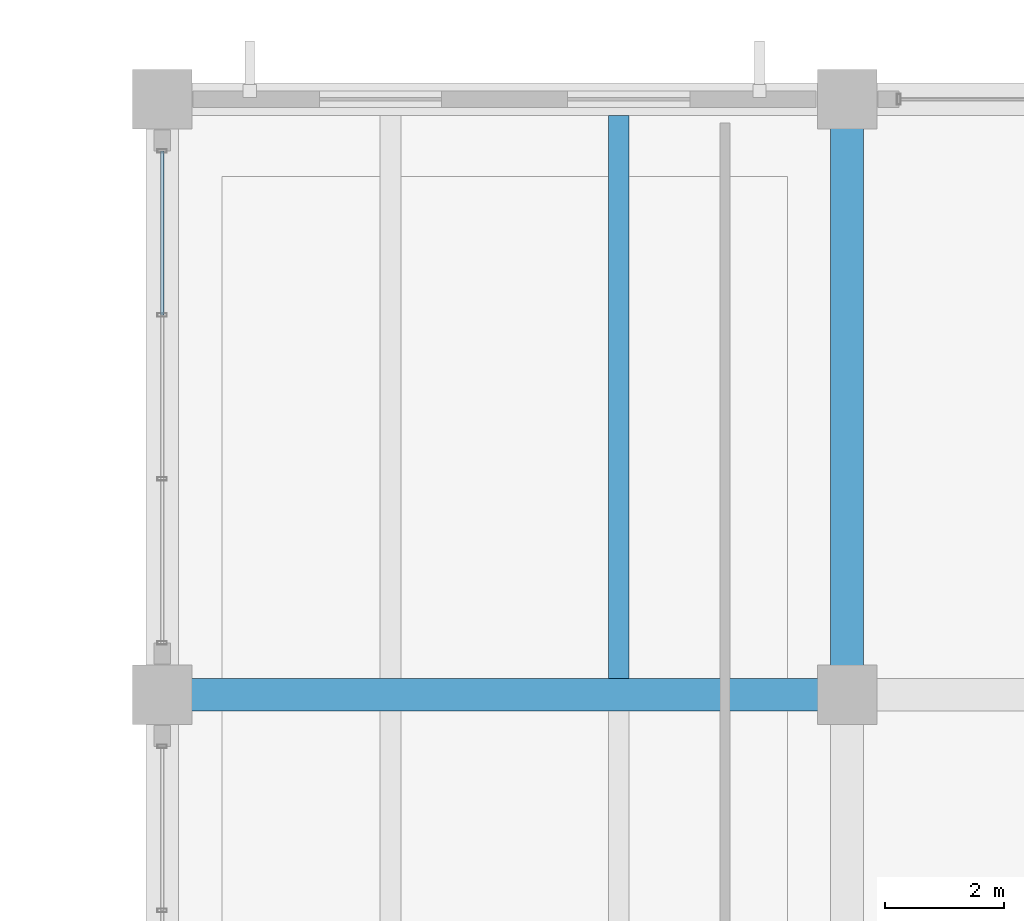
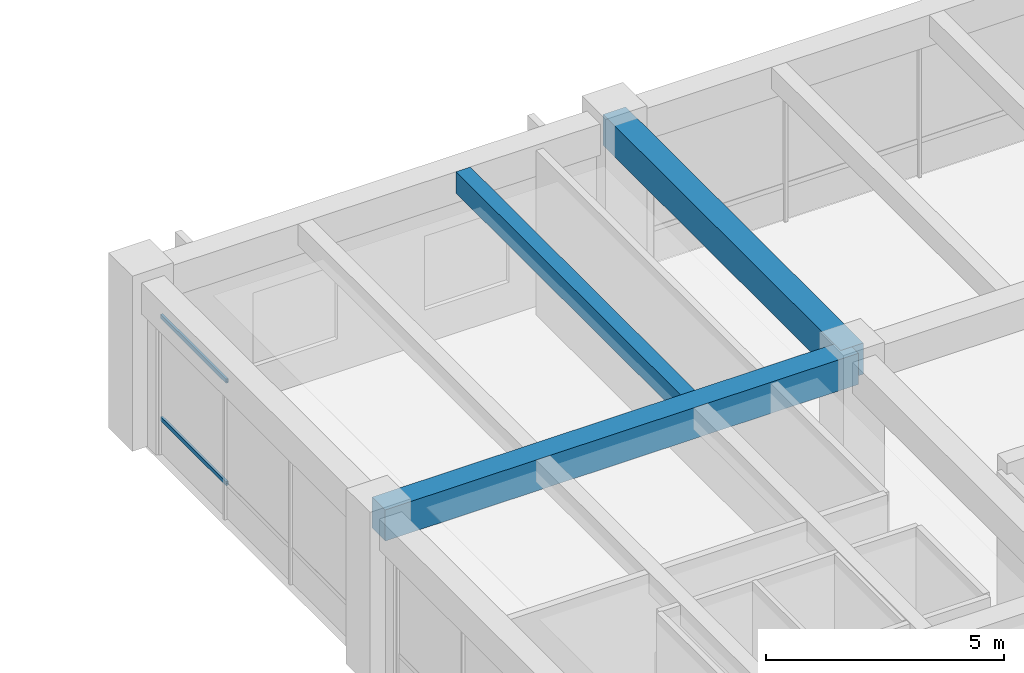
# One storey, part 92 of 154: 3 beams, 2 members, 1 element without a shape of its own.
"""IFC4 building model written with IfcOpenShell, lengths in metres."""

from ifc_helpers import new_model, si_unit, direction, frame, origin, origin_2d, place, context, subcontext, project, spatial, rectangle, hollow_rectangle, extrude, material, material_profile, profile_set, type_object, element, aggregate, save


model = new_model("IFC4")

# Units and contexts
model_context = context("Model", 3, precision=1e-05, world=origin(), true_north=direction((0.0, 1.0)))
body_context = subcontext(model_context, "Body", "Model", "MODEL_VIEW")
ifc_project = project(units=[si_unit("LENGTHUNIT", "METRE"), si_unit("AREAUNIT", "SQUARE_METRE"), si_unit("VOLUMEUNIT", "CUBIC_METRE"), si_unit("PLANEANGLEUNIT", "RADIAN"), si_unit("MASSUNIT", "GRAM", prefix="KILO")], contexts=[model_context])

# Site, building, storey
site_placement = place(None, origin())
site = spatial("IfcSite", under=ifc_project, at=site_placement, CompositionType="ELEMENT")
building_placement = place(site_placement, origin())
building = spatial("IfcBuilding", under=site, at=building_placement, Name="Ologun Quay Terminus", CompositionType="ELEMENT")
storey_placement = place(building_placement, frame((0.0, 0.0, 13.800048828125)))
storey = spatial("IfcBuildingStorey", under=building, at=storey_placement, Name="L03", CompositionType="ELEMENT", Elevation=13.800048828125)

# Curtain wall, members
ifc_material_1 = material(Name="Aluminium 6063-T6", Category="aluminium")
curtain_wall_type = type_object("IfcCurtainWallType", Name="Rain-Garden East Courtyard Curtain Wall L03 9200x4150", PredefinedType="USERDEFINED", material=ifc_material_1)
curtain_wall_placement = place(storey_placement, origin())
curtain_wall = element("IfcCurtainWall", 1, at=curtain_wall_placement, inside=storey, type_object=curtain_wall_type, Name="CW-20 Curtain Wall CW-L03-144", ObjectType="UNITISED CURTAIN WALL", PredefinedType="USERDEFINED")
ifc_material_2 = material(Name="Aluminium 6063-T6", Category="aluminium")
ifc_material_profile_1 = material_profile(ifc_material_2, hollow_rectangle(XDim=0.054931640625, YDim=0.110107421875, WallThickness=0.00390625, at=origin_2d()), Name="ALU 110x55x4")
ifc_profile_set_1 = profile_set([ifc_material_profile_1], Name="Aluminium 6063-T6")
member_type = type_object("IfcMemberType", Name="Courtyard Screen Transom 110x55", PredefinedType="USERDEFINED", material=ifc_profile_set_1)
member_1_placement = place(storey_placement, frame((115.0, 111.1767578125, 0.89990234375), z_axis=(0.0, 1.0, 0.0), x_axis=(-1.0, 0.0, 0.0)))
member_1 = element("IfcMember", 2, at=member_1_placement, type_object=member_type, Name="CW-L03-144 Transom B3-1", ObjectType="TRANSOM", PredefinedType="USERDEFINED", context=body_context, shape_type="SweptSolid", body=[
    extrude(hollow_rectangle(XDim=0.054931640625, YDim=0.110107421875, WallThickness=0.00390625, at=origin_2d()), origin(), (0.0, 0.0, 1.0), 2.753173828125),
])
member_2_placement = place(storey_placement, frame((115.0, 111.1767578125, 3.530029296875), z_axis=(0.0, 1.0, 0.0), x_axis=(-1.0, 0.0, 0.0)))
member_2 = element("IfcMember", 3, at=member_2_placement, type_object=member_type, Name="CW-L03-144 Transom B3-2", ObjectType="TRANSOM", PredefinedType="USERDEFINED", context=body_context, shape_type="SweptSolid", body=[
    extrude(hollow_rectangle(XDim=0.054931640625, YDim=0.110107421875, WallThickness=0.00390625, at=origin_2d()), origin(), (0.0, 0.0, 1.0), 2.753173828125),
])
aggregate(curtain_wall, [member_1, member_2])

# Beams
ifc_material_3 = material(Name="Concrete C40/50", Category="concrete")
ifc_material_profile_2 = material_profile(ifc_material_3, rectangle(XDim=0.550048828125, YDim=0.800048828125, at=origin_2d()), Name="RC 550x800")
ifc_profile_set_2 = profile_set([ifc_material_profile_2], Name="Concrete C40/50")
beam_type_1 = type_object("IfcBeamType", Name="Courtyard Wing Primary Girder 550x800", PredefinedType="BEAM", material=ifc_profile_set_2)
beam_1_placement = place(storey_placement, frame((115.0, 104.800048828125, 3.849853515625), z_axis=(1.0, 0.0, 0.0), x_axis=(0.0, 1.0, 0.0)))
element("IfcBeam", 4, at=beam_1_placement, inside=storey, type_object=beam_type_1, Name="B4 Beam 11/J L03", PredefinedType="BEAM", context=body_context, shape_type="SweptSolid", body=[
    extrude(rectangle(XDim=0.550048828125, YDim=0.800048828125, at=origin_2d()), origin(), (0.0, 0.0, 1.0), 11.5),
])
beam_2_placement = place(storey_placement, frame((126.5, 104.800048828125, 3.849853515625), z_axis=(0.0, 1.0, 0.0), x_axis=(-1.0, 0.0, 0.0)))
element("IfcBeam", 5, at=beam_2_placement, inside=storey, type_object=beam_type_1, Name="B4 Beam 12/J L03", PredefinedType="BEAM", context=body_context, shape_type="SweptSolid", body=[
    extrude(rectangle(XDim=0.550048828125, YDim=0.800048828125, at=origin_2d()), origin(), (0.0, 0.0, 1.0), 10.0),
])
ifc_material_4 = material(Name="Concrete C40/50", Category="concrete")
ifc_material_profile_3 = material_profile(ifc_material_4, rectangle(XDim=0.35009765625, YDim=0.550048828125, at=origin_2d()), Name="RC 350x550")
ifc_profile_set_3 = profile_set([ifc_material_profile_3], Name="Concrete C40/50")
beam_type_2 = type_object("IfcBeamType", Name="Courtyard Wing Secondary Joist 350x550", PredefinedType="JOIST", material=ifc_profile_set_3)
beam_3_placement = place(storey_placement, frame((122.666748046875, 105.074951171875, 3.974853515625), z_axis=(0.0, 1.0, 0.0), x_axis=(-1.0, 0.0, 0.0)))
element("IfcBeam", 6, at=beam_3_placement, inside=storey, type_object=beam_type_2, Name="J2 Beam 11/J L03", PredefinedType="JOIST", context=body_context, shape_type="SweptSolid", body=[
    extrude(rectangle(XDim=0.35009765625, YDim=0.550048828125, at=origin_2d()), origin(), (0.0, 0.0, 1.0), 9.449951171875),
])

save(model, "model.ifc")
